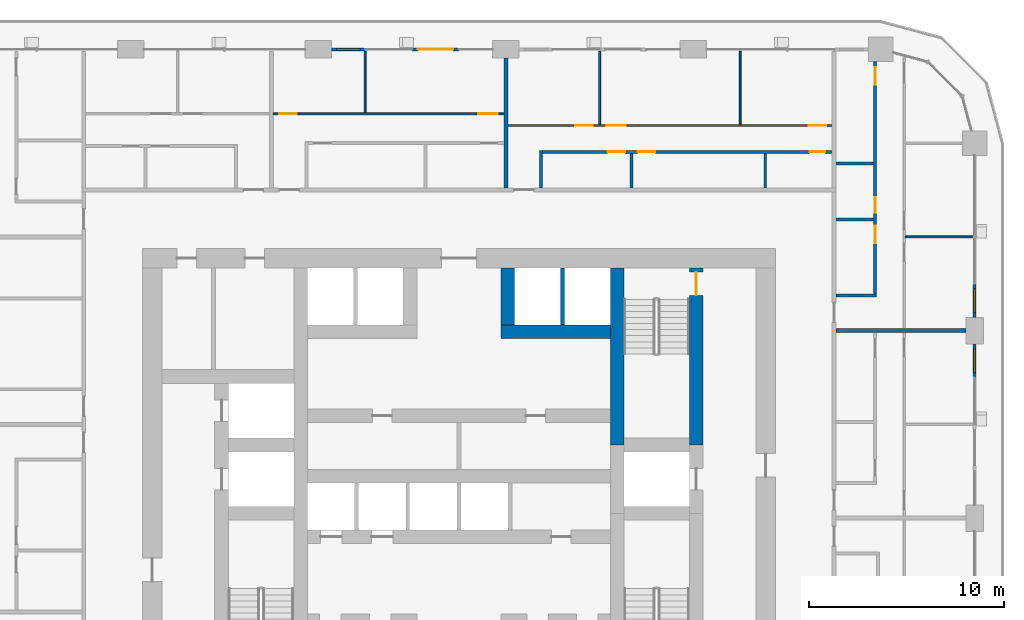
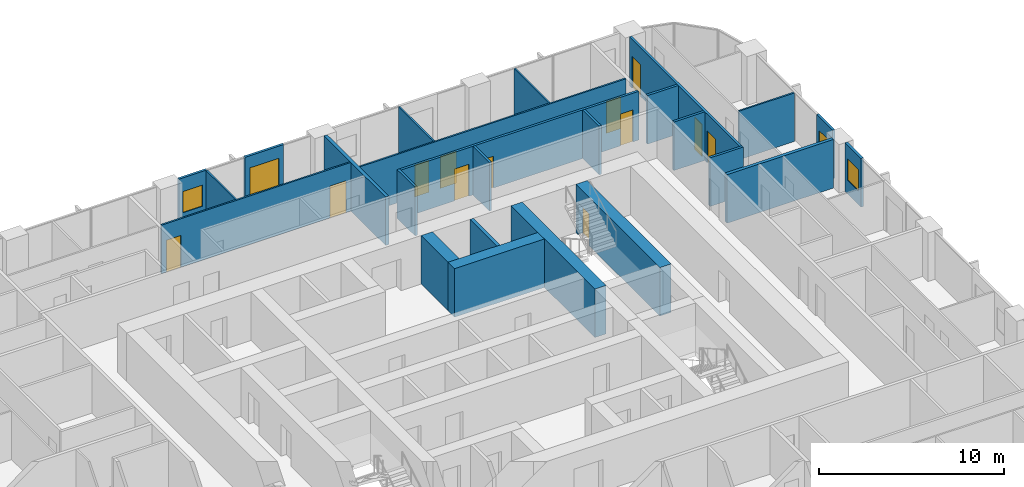
# One storey, part 14 of 21: 25 walls, 13 doors, 3 windows, 16 openings.
"""IFC4 building model written with IfcOpenShell, lengths in metres."""

from ifc_helpers import new_model, si_unit, direction, frame, frame_2d, origin, place, context, subcontext, project, spatial, rectangle, extrude, material, layer, layer_set, type_object, element, fill, save


model = new_model("IFC4")

# Units and contexts
model_context = context("Model", 3, precision=1e-05, world=origin(), true_north=direction((0.0, 1.0)))
body_context = subcontext(model_context, "Body", "Model", "MODEL_VIEW")
ifc_project = project(units=[si_unit("LENGTHUNIT", "METRE"), si_unit("AREAUNIT", "SQUARE_METRE"), si_unit("VOLUMEUNIT", "CUBIC_METRE"), si_unit("PLANEANGLEUNIT", "RADIAN"), si_unit("MASSUNIT", "GRAM", prefix="KILO")], contexts=[model_context])

# Site, building, storey
site_placement = place(None, origin())
site = spatial("IfcSite", under=ifc_project, at=site_placement, CompositionType="ELEMENT")
building_placement = place(site_placement, origin())
building = spatial("IfcBuilding", under=site, at=building_placement, Name="Madar Terraces", CompositionType="ELEMENT")
storey_placement = place(building_placement, frame((0.0, 0.0, 39.89990234375)))
storey = spatial("IfcBuildingStorey", under=building, at=storey_placement, Name="L09", CompositionType="ELEMENT", Elevation=39.89990234375)

# Wall
ifc_material_1 = material(Name="Concrete C80/95", Category="concrete")
ifc_layer_1 = layer(ifc_material_1, 0.699951171875)
ifc_layer_set_1 = layer_set([ifc_layer_1], Name="Concrete C80/95 (CIW1 RC wall 700)")
wall_type_1 = type_object("IfcWallType", Name="CIW1 RC wall 700", PredefinedType="SHEAR", material=ifc_layer_set_1)
wall_1_placement = place(storey_placement, frame((39.300048828125, 27.75, 0.0), z_axis=(0.0, 0.0, 1.0), x_axis=(0.0, 1.0, 0.0)))
element("IfcWall", 1, at=wall_1_placement, inside=storey, type_object=wall_type_1, Name="CORE SHAFT WALL", PredefinedType="SHEAR", context=body_context, shape_type="SweptSolid", body=[
    extrude(rectangle(XDim=9.050048828125, YDim=0.699951171875, at=frame_2d((4.52490234375, 0.0))), origin(), (0.0, 0.0, 1.0), 3.2001953125),
])

# Wall, opening, door
wall_2_placement = place(storey_placement, frame((43.35009765625, 27.75, 0.0), z_axis=(0.0, 0.0, 1.0), x_axis=(0.0, 1.0, 0.0)))
wall_2 = element("IfcWall", 2, at=wall_2_placement, inside=storey, type_object=wall_type_1, Name="CORE SHAFT WALL", PredefinedType="SHEAR", context=body_context, shape_type="SweptSolid", body=[
    extrude(rectangle(XDim=9.050048828125, YDim=0.699951171875, at=frame_2d((4.52490234375, 0.0))), origin(), (0.0, 0.0, 1.0), 3.2001953125),
])
opening_1_placement = place(wall_2_placement, frame((7.64990234375, 0.0, 0.0)))
opening_1 = element("IfcOpeningElement", 3, at=opening_1_placement, cuts=wall_2, Name="Opening SD1", PredefinedType="OPENING", context=body_context, shape_type="SweptSolid", body=[
    extrude(rectangle(XDim=1.199951171875, YDim=2.10009765625, at=frame_2d((0.60009765625, 1.050048828125))), frame((0.0, 0.35986328125, 0.0), z_axis=(0.0, -1.0, 0.0), x_axis=(1.0, 0.0, 0.0)), (0.0, 0.0, 1.0), 0.719970703125),
])
ifc_material_2 = material(Name="Steel door leaf", Category="steel")
door_type_1 = type_object("IfcDoorType", Name="Stair door 1200 x 2100", OperationType="NOTDEFINED", PredefinedType="DOOR", material=ifc_material_2)
door_1_placement = place(opening_1_placement, origin())
door_1 = element("IfcDoor", 4, at=door_1_placement, inside=storey, type_object=door_type_1, Name="STAIR DOOR", OperationType="SINGLE_SWING_LEFT", OverallHeight=2.10009765625, OverallWidth=1.199951171875, PredefinedType="DOOR", context=body_context, shape_type="SweptSolid", body=[
    extrude(rectangle(XDim=1.199951171875, YDim=2.10009765625, at=frame_2d((0.60009765625, 1.050048828125))), frame((0.0, 0.02490234375, 0.0), z_axis=(0.0, -1.0, 0.0), x_axis=(1.0, 0.0, 0.0)), (0.0, 0.0, 1.0), 0.050048828125),
])
fill(opening_1, door_1)

# Walls
wall_3_placement = place(storey_placement, frame((33.35009765625, 33.550048828125, 0.0), z_axis=(0.0, 0.0, 1.0), x_axis=(1.0, 0.0, 0.0)))
element("IfcWall", 5, at=wall_3_placement, inside=storey, type_object=wall_type_1, Name="CORE SHAFT WALL", PredefinedType="SHEAR", context=body_context, shape_type="SweptSolid", body=[
    extrude(rectangle(XDim=5.599853515625, YDim=0.699951171875, at=frame_2d((2.7998046875, 0.0))), origin(), (0.0, 0.0, 1.0), 3.2001953125),
])
wall_4_placement = place(storey_placement, frame((33.699951171875, 33.89990234375, 0.0), z_axis=(0.0, 0.0, 1.0), x_axis=(0.0, 1.0, 0.0)))
element("IfcWall", 6, at=wall_4_placement, inside=storey, type_object=wall_type_1, Name="CORE SHAFT WALL", PredefinedType="SHEAR", context=body_context, shape_type="SweptSolid", body=[
    extrude(rectangle(XDim=2.900146484375, YDim=0.699951171875, at=frame_2d((1.4501953125, 0.0))), origin(), (0.0, 0.0, 1.0), 3.2001953125),
])
ifc_material_3 = material(Name="Concrete C40/50", Category="concrete")
ifc_layer_2 = layer(ifc_material_3, 0.199951171875)
ifc_layer_set_2 = layer_set([ifc_layer_2], Name="Core shaft dividing wall 200 C40/50")
wall_type_2 = type_object("IfcWallType", Name="Core shaft dividing wall 200 C40/50", PredefinedType="SOLIDWALL", material=ifc_layer_set_2)
wall_5_placement = place(storey_placement, frame((36.5, 33.89990234375, 0.0), z_axis=(0.0, 0.0, 1.0), x_axis=(0.0, 1.0, 0.0)))
element("IfcWall", 7, at=wall_5_placement, inside=storey, type_object=wall_type_2, Name="SHAFT DIVIDING WALL", PredefinedType="SOLIDWALL", context=body_context, shape_type="SweptSolid", body=[
    extrude(rectangle(XDim=2.900146484375, YDim=0.199951171875, at=frame_2d((1.4501953125, 0.0))), origin(), (0.0, 0.0, 1.0), 3.2001953125),
])

# Wall, opening, window
ifc_material_4 = material(Name="Aluminium composite panel, black, over insulated backing", Category="aluminium")
ifc_layer_3 = layer(ifc_material_4, 0.14990234375)
ifc_layer_set_3 = layer_set([ifc_layer_3], Name="Facade bay panel 150")
wall_type_3 = type_object("IfcWallType", Name="Facade bay panel 150", PredefinedType="SOLIDWALL", material=ifc_layer_set_3)
wall_6_placement = place(storey_placement, frame((57.60009765625, 31.199951171875, 0.0), z_axis=(0.0, 0.0, 1.0), x_axis=(0.0, 1.0, 0.0)))
wall_6 = element("IfcWall", 8, at=wall_6_placement, inside=storey, type_object=wall_type_3, Name="Facade bay panel", PredefinedType="SOLIDWALL", context=body_context, shape_type="SweptSolid", body=[
    extrude(rectangle(XDim=1.72509765625, YDim=0.14990234375, at=frame_2d((0.862548828125, 0.0))), origin(), (0.0, 0.0, 1.0), 3.2001953125),
])
opening_2_placement = place(wall_6_placement, frame((0.262451171875, 0.0, 0.89990234375)))
opening_2 = element("IfcOpeningElement", 9, at=opening_2_placement, cuts=wall_6, Name="Opening W1", PredefinedType="OPENING", context=body_context, shape_type="SweptSolid", body=[
    extrude(rectangle(XDim=1.199951171875, YDim=1.39990234375, at=frame_2d((0.60009765625, 0.699951171875))), frame((0.0, 0.0849609375, 0.0), z_axis=(0.0, -1.0, 0.0), x_axis=(1.0, 0.0, 0.0)), (0.0, 0.0, 1.0), 0.169921875),
])
ifc_material_5 = material(Name="Glass, clear, with black aluminium frame", Category="aluminium")
window_type = type_object("IfcWindowType", Name="Vent window 1200 x 1400", PartitioningType="SINGLE_PANEL", PredefinedType="WINDOW", material=ifc_material_5)
window_1_placement = place(opening_2_placement, origin())
window_1 = element("IfcWindow", 10, at=window_1_placement, inside=storey, type_object=window_type, Name="Operable vent window", OverallHeight=1.39990234375, OverallWidth=1.199951171875, PartitioningType="SINGLE_PANEL", PredefinedType="WINDOW", context=body_context, shape_type="SweptSolid", body=[
    extrude(rectangle(XDim=1.199951171875, YDim=1.39990234375, at=frame_2d((0.60009765625, 0.699951171875))), frame((0.0, 0.030029296875, 0.0), z_axis=(0.0, -1.0, 0.0), x_axis=(1.0, 0.0, 0.0)), (0.0, 0.0, 1.0), 0.06005859375),
])
fill(opening_2, window_1)

wall_7_placement = place(storey_placement, frame((57.60009765625, 34.27490234375, 0.0), z_axis=(0.0, 0.0, 1.0), x_axis=(0.0, 1.0, 0.0)))
wall_7 = element("IfcWall", 11, at=wall_7_placement, inside=storey, type_object=wall_type_3, Name="Facade bay panel", PredefinedType="SOLIDWALL", context=body_context, shape_type="SweptSolid", body=[
    extrude(rectangle(XDim=1.72509765625, YDim=0.14990234375, at=frame_2d((0.862548828125, 0.0))), origin(), (0.0, 0.0, 1.0), 3.2001953125),
])
opening_3_placement = place(wall_7_placement, frame((0.262451171875, 0.0, 0.89990234375)))
opening_3 = element("IfcOpeningElement", 12, at=opening_3_placement, cuts=wall_7, Name="Opening W1", PredefinedType="OPENING", context=body_context, shape_type="SweptSolid", body=[
    extrude(rectangle(XDim=1.199951171875, YDim=1.39990234375, at=frame_2d((0.60009765625, 0.699951171875))), frame((0.0, 0.0849609375, 0.0), z_axis=(0.0, -1.0, 0.0), x_axis=(1.0, 0.0, 0.0)), (0.0, 0.0, 1.0), 0.169921875),
])
window_2_placement = place(opening_3_placement, origin())
window_2 = element("IfcWindow", 13, at=window_2_placement, inside=storey, type_object=window_type, Name="Operable vent window", OverallHeight=1.39990234375, OverallWidth=1.199951171875, PartitioningType="SINGLE_PANEL", PredefinedType="WINDOW", context=body_context, shape_type="SweptSolid", body=[
    extrude(rectangle(XDim=1.199951171875, YDim=1.39990234375, at=frame_2d((0.60009765625, 0.699951171875))), frame((0.0, 0.030029296875, 0.0), z_axis=(0.0, -1.0, 0.0), x_axis=(1.0, 0.0, 0.0)), (0.0, 0.0, 1.0), 0.06005859375),
])
fill(opening_3, window_2)

# Wall, opening, door
wall_8_placement = place(storey_placement, frame((31.199951171875, 48.0, 0.0), z_axis=(0.0, 0.0, 1.0), x_axis=(-1.0, 0.0, 0.0)))
wall_8 = element("IfcWall", 14, at=wall_8_placement, inside=storey, type_object=wall_type_3, Name="Facade bay panel", PredefinedType="SOLIDWALL", context=body_context, shape_type="SweptSolid", body=[
    extrude(rectangle(XDim=2.39990234375, YDim=0.14990234375, at=frame_2d((1.199951171875, 0.0))), origin(), (0.0, 0.0, 1.0), 3.2001953125),
])
opening_4_placement = place(wall_8_placement, frame((0.300048828125, 0.0, 0.0)))
opening_4 = element("IfcOpeningElement", 15, at=opening_4_placement, cuts=wall_8, Name="Opening ED1", PredefinedType="OPENING", context=body_context, shape_type="SweptSolid", body=[
    extrude(rectangle(XDim=1.800048828125, YDim=2.39990234375, at=frame_2d((0.89990234375, 1.199951171875))), frame((0.0, 0.0849609375, 0.0), z_axis=(0.0, -1.0, 0.0), x_axis=(1.0, 0.0, 0.0)), (0.0, 0.0, 1.0), 0.169921875),
])
ifc_material_6 = material(Name="Glass, clear, with black aluminium frame", Category="aluminium")
door_type_2 = type_object("IfcDoorType", Name="Balcony and terrace sliding door 1800 x 2400", OperationType="SLIDING_TO_LEFT", PredefinedType="DOOR", material=ifc_material_6)
door_2_placement = place(opening_4_placement, origin())
door_2 = element("IfcDoor", 16, at=door_2_placement, inside=storey, type_object=door_type_2, Name="Balcony door", OperationType="SLIDING_TO_LEFT", OverallHeight=2.39990234375, OverallWidth=1.800048828125, PredefinedType="DOOR", context=body_context, shape_type="SweptSolid", body=[
    extrude(rectangle(XDim=1.800048828125, YDim=2.39990234375, at=frame_2d((0.89990234375, 1.199951171875))), frame((0.0, 0.02490234375, 0.0), z_axis=(0.0, -1.0, 0.0), x_axis=(1.0, 0.0, 0.0)), (0.0, 0.0, 1.0), 0.050048828125),
])
fill(opening_4, door_2)

# Wall, opening, window
wall_9_placement = place(storey_placement, frame((26.39990234375, 48.0, 0.0), z_axis=(0.0, 0.0, 1.0), x_axis=(-1.0, 0.0, 0.0)))
wall_9 = element("IfcWall", 17, at=wall_9_placement, inside=storey, type_object=wall_type_3, Name="Facade bay panel", PredefinedType="SOLIDWALL", context=body_context, shape_type="SweptSolid", body=[
    extrude(rectangle(XDim=1.724853515625, YDim=0.14990234375, at=frame_2d((0.8623046875, 0.0))), origin(), (0.0, 0.0, 1.0), 3.2001953125),
])
opening_5_placement = place(wall_9_placement, frame((0.262451171875, 0.0, 0.89990234375)))
opening_5 = element("IfcOpeningElement", 18, at=opening_5_placement, cuts=wall_9, Name="Opening W1", PredefinedType="OPENING", context=body_context, shape_type="SweptSolid", body=[
    extrude(rectangle(XDim=1.199951171875, YDim=1.39990234375, at=frame_2d((0.60009765625, 0.699951171875))), frame((0.0, 0.0849609375, 0.0), z_axis=(0.0, -1.0, 0.0), x_axis=(1.0, 0.0, 0.0)), (0.0, 0.0, 1.0), 0.169921875),
])
window_3_placement = place(opening_5_placement, origin())
window_3 = element("IfcWindow", 19, at=window_3_placement, inside=storey, type_object=window_type, Name="Operable vent window", OverallHeight=1.39990234375, OverallWidth=1.199951171875, PartitioningType="SINGLE_PANEL", PredefinedType="WINDOW", context=body_context, shape_type="SweptSolid", body=[
    extrude(rectangle(XDim=1.199951171875, YDim=1.39990234375, at=frame_2d((0.60009765625, 0.699951171875))), frame((0.0, 0.030029296875, 0.0), z_axis=(0.0, -1.0, 0.0), x_axis=(1.0, 0.0, 0.0)), (0.0, 0.0, 1.0), 0.06005859375),
])
fill(opening_5, window_3)

# Walls
ifc_material_7 = material(Name="Gypsum board on steel studs", Category="steel")
ifc_layer_4 = layer(ifc_material_7, 0.10009765625)
ifc_layer_set_4 = layer_set([ifc_layer_4], Name="Flat partition 100")
wall_type_4 = type_object("IfcWallType", Name="Flat partition 100", PredefinedType="PARTITIONING", material=ifc_layer_set_4)
wall_10_placement = place(storey_placement, frame((54.050048828125, 38.39990234375, 0.0), z_axis=(0.0, 0.0, 1.0), x_axis=(1.0, 0.0, 0.0)))
element("IfcWall", 20, at=wall_10_placement, inside=storey, type_object=wall_type_4, Name="Flat partition 100", PredefinedType="PARTITIONING", context=body_context, shape_type="SweptSolid", body=[
    extrude(rectangle(XDim=3.449951171875, YDim=0.10009765625, at=frame_2d((1.72509765625, 0.0))), origin(), (0.0, 0.0, 1.0), 3.2001953125),
])
for number, where, z_axis, x_axis, name in (
    (21, (38.39990234375, 44.14990234375, 0.0), (0.0, 0.0, 1.0), (0.0, 1.0, 0.0), "Flat partition 100"),
    (22, (45.60009765625, 44.14990234375, 0.0), (0.0, 0.0, 1.0), (0.0, 1.0, 0.0), "Flat partition 100"),
):
    element("IfcWall", number, at=place(storey_placement, frame(where, z_axis=z_axis, x_axis=x_axis)), inside=storey, type_object=wall_type_4, Name=name, PredefinedType="PARTITIONING", context=body_context, shape_type="SweptSolid", body=[
        extrude(rectangle(XDim=3.75, YDim=0.10009765625, at=frame_2d((1.875, 0.0))), origin(), (0.0, 0.0, 1.0), 3.2001953125),
    ])

# Wall, openings, doors
wall_11_placement = place(storey_placement, frame((33.699951171875, 44.10009765625, 0.0), z_axis=(0.0, 0.0, 1.0), x_axis=(1.0, 0.0, 0.0)))
wall_11 = element("IfcWall", 23, at=wall_11_placement, inside=storey, type_object=wall_type_4, Name="Flat partition 100", PredefinedType="PARTITIONING", context=body_context, shape_type="SweptSolid", body=[
    extrude(rectangle(XDim=16.60009765625, YDim=0.10009765625, at=frame_2d((8.300048828125, 0.0))), origin(), (0.0, 0.0, 1.0), 3.2001953125),
])
opening_6_placement = place(wall_11_placement, frame((3.449951171875, 0.0, 0.0)))
opening_6 = element("IfcOpeningElement", 24, at=opening_6_placement, cuts=wall_11, Name="Opening D2", PredefinedType="OPENING", context=body_context, shape_type="SweptSolid", body=[
    extrude(rectangle(XDim=0.89990234375, YDim=2.10009765625, at=frame_2d((0.449951171875, 1.050048828125))), frame((0.0, 0.06005859375, 0.0), z_axis=(0.0, -1.0, 0.0), x_axis=(1.0, 0.0, 0.0)), (0.0, 0.0, 1.0), 0.1201171875),
])
opening_7_placement = place(wall_11_placement, frame((5.050048828125, 0.0, 0.0)))
opening_7 = element("IfcOpeningElement", 25, at=opening_7_placement, cuts=wall_11, Name="Opening D3", PredefinedType="OPENING", context=body_context, shape_type="SweptSolid", body=[
    extrude(rectangle(XDim=1.0, YDim=2.10009765625, at=frame_2d((0.5, 1.050048828125))), frame((0.0, 0.06005859375, 0.0), z_axis=(0.0, -1.0, 0.0), x_axis=(1.0, 0.0, 0.0)), (0.0, 0.0, 1.0), 0.1201171875),
])
opening_8_placement = place(wall_11_placement, frame((15.39990234375, 0.0, 0.0)))
opening_8 = element("IfcOpeningElement", 26, at=opening_8_placement, cuts=wall_11, Name="Opening D2", PredefinedType="OPENING", context=body_context, shape_type="SweptSolid", body=[
    extrude(rectangle(XDim=0.89990234375, YDim=2.10009765625, at=frame_2d((0.449951171875, 1.050048828125))), frame((0.0, 0.06005859375, 0.0), z_axis=(0.0, -1.0, 0.0), x_axis=(1.0, 0.0, 0.0)), (0.0, 0.0, 1.0), 0.1201171875),
])
ifc_material_8 = material(Name="Timber door leaf", Category="wood")
door_type_3 = type_object("IfcDoorType", Name="Flat living room door 1000", OperationType="NOTDEFINED", PredefinedType="DOOR", material=ifc_material_8)
door_3_placement = place(opening_7_placement, origin())
door_3 = element("IfcDoor", 27, at=door_3_placement, inside=storey, type_object=door_type_3, Name="Flat living room door 1000", OperationType="SINGLE_SWING_LEFT", OverallHeight=2.10009765625, OverallWidth=1.0, PredefinedType="DOOR", context=body_context, shape_type="SweptSolid", body=[
    extrude(rectangle(XDim=1.0, YDim=2.10009765625, at=frame_2d((0.5, 1.050048828125))), frame((0.0, 0.02490234375, 0.0), z_axis=(0.0, -1.0, 0.0), x_axis=(1.0, 0.0, 0.0)), (0.0, 0.0, 1.0), 0.050048828125),
])
fill(opening_7, door_3)
ifc_material_9 = material(Name="Timber door leaf", Category="wood")
door_type_4 = type_object("IfcDoorType", Name="Flat room door 900", OperationType="NOTDEFINED", PredefinedType="DOOR", material=ifc_material_9)
door_4_placement = place(opening_6_placement, origin())
door_4 = element("IfcDoor", 28, at=door_4_placement, inside=storey, type_object=door_type_4, Name="Flat room door 900", OperationType="SINGLE_SWING_RIGHT", OverallHeight=2.10009765625, OverallWidth=0.89990234375, PredefinedType="DOOR", context=body_context, shape_type="SweptSolid", body=[
    extrude(rectangle(XDim=0.89990234375, YDim=2.10009765625, at=frame_2d((0.449951171875, 1.050048828125))), frame((0.0, 0.02490234375, 0.0), z_axis=(0.0, -1.0, 0.0), x_axis=(1.0, 0.0, 0.0)), (0.0, 0.0, 1.0), 0.050048828125),
])
fill(opening_6, door_4)
door_5_placement = place(opening_8_placement, origin())
door_5 = element("IfcDoor", 29, at=door_5_placement, inside=storey, type_object=door_type_4, Name="Flat room door 900", OperationType="SINGLE_SWING_RIGHT", OverallHeight=2.10009765625, OverallWidth=0.89990234375, PredefinedType="DOOR", context=body_context, shape_type="SweptSolid", body=[
    extrude(rectangle(XDim=0.89990234375, YDim=2.10009765625, at=frame_2d((0.449951171875, 1.050048828125))), frame((0.0, 0.02490234375, 0.0), z_axis=(0.0, -1.0, 0.0), x_axis=(1.0, 0.0, 0.0)), (0.0, 0.0, 1.0), 0.050048828125),
])
fill(opening_8, door_5)

# Wall
wall_12_placement = place(storey_placement, frame((26.39990234375, 44.75, 0.0), z_axis=(0.0, 0.0, 1.0), x_axis=(0.0, 1.0, 0.0)))
element("IfcWall", 30, at=wall_12_placement, inside=storey, type_object=wall_type_4, Name="Flat partition 100", PredefinedType="PARTITIONING", context=body_context, shape_type="SweptSolid", body=[
    extrude(rectangle(XDim=3.14990234375, YDim=0.10009765625, at=frame_2d((1.574951171875, 0.0))), origin(), (0.0, 0.0, 1.0), 3.2001953125),
])

# Wall, openings, doors
wall_13_placement = place(storey_placement, frame((21.699951171875, 44.699951171875, 0.0), z_axis=(0.0, 0.0, 1.0), x_axis=(1.0, 0.0, 0.0)))
wall_13 = element("IfcWall", 31, at=wall_13_placement, inside=storey, type_object=wall_type_4, Name="Flat partition 100", PredefinedType="PARTITIONING", context=body_context, shape_type="SweptSolid", body=[
    extrude(rectangle(XDim=11.800048828125, YDim=0.10009765625, at=frame_2d((5.89990234375, 0.0))), origin(), (0.0, 0.0, 1.0), 3.2001953125),
])
opening_9_placement = place(wall_13_placement, frame((0.300048828125, 0.0, 0.0)))
opening_9 = element("IfcOpeningElement", 32, at=opening_9_placement, cuts=wall_13, Name="Opening D2", PredefinedType="OPENING", context=body_context, shape_type="SweptSolid", body=[
    extrude(rectangle(XDim=0.89990234375, YDim=2.10009765625, at=frame_2d((0.449951171875, 1.050048828125))), frame((0.0, 0.06005859375, 0.0), z_axis=(0.0, -1.0, 0.0), x_axis=(1.0, 0.0, 0.0)), (0.0, 0.0, 1.0), 0.1201171875),
])
opening_10_placement = place(wall_13_placement, frame((10.5, 0.0, 0.0)))
opening_10 = element("IfcOpeningElement", 33, at=opening_10_placement, cuts=wall_13, Name="Opening D3", PredefinedType="OPENING", context=body_context, shape_type="SweptSolid", body=[
    extrude(rectangle(XDim=1.0, YDim=2.10009765625, at=frame_2d((0.5, 1.050048828125))), frame((0.0, 0.06005859375, 0.0), z_axis=(0.0, -1.0, 0.0), x_axis=(1.0, 0.0, 0.0)), (0.0, 0.0, 1.0), 0.1201171875),
])
door_6_placement = place(opening_10_placement, origin())
door_6 = element("IfcDoor", 34, at=door_6_placement, inside=storey, type_object=door_type_3, Name="Flat living room door 1000", OperationType="SINGLE_SWING_RIGHT", OverallHeight=2.10009765625, OverallWidth=1.0, PredefinedType="DOOR", context=body_context, shape_type="SweptSolid", body=[
    extrude(rectangle(XDim=1.0, YDim=2.10009765625, at=frame_2d((0.5, 1.050048828125))), frame((0.0, 0.02490234375, 0.0), z_axis=(0.0, -1.0, 0.0), x_axis=(1.0, 0.0, 0.0)), (0.0, 0.0, 1.0), 0.050048828125),
])
fill(opening_10, door_6)
door_7_placement = place(opening_9_placement, origin())
door_7 = element("IfcDoor", 35, at=door_7_placement, inside=storey, type_object=door_type_4, Name="Flat room door 900", OperationType="SINGLE_SWING_LEFT", OverallHeight=2.10009765625, OverallWidth=0.89990234375, PredefinedType="DOOR", context=body_context, shape_type="SweptSolid", body=[
    extrude(rectangle(XDim=0.89990234375, YDim=2.10009765625, at=frame_2d((0.449951171875, 1.050048828125))), frame((0.0, 0.02490234375, 0.0), z_axis=(0.0, -1.0, 0.0), x_axis=(1.0, 0.0, 0.0)), (0.0, 0.0, 1.0), 0.050048828125),
])
fill(opening_9, door_7)

# Walls
ifc_material_10 = material(Name="Lightweight blockwork", Category="masonry")
ifc_layer_5 = layer(ifc_material_10, 0.199951171875)
ifc_layer_set_5 = layer_set([ifc_layer_5], Name="Flat party and entrance wall 200")
wall_type_5 = type_object("IfcWallType", Name="Flat party and entrance wall 200", PredefinedType="PARTITIONING", material=ifc_layer_set_5)
wall_14_placement = place(storey_placement, frame((50.5, 33.60009765625, 0.0), z_axis=(0.0, 0.0, 1.0), x_axis=(1.0, 0.0, 0.0)))
element("IfcWall", 36, at=wall_14_placement, inside=storey, type_object=wall_type_5, Name="Flat party and entrance wall 200", PredefinedType="PARTITIONING", context=body_context, shape_type="SweptSolid", body=[
    extrude(rectangle(XDim=6.64990234375, YDim=0.199951171875, at=frame_2d((3.324951171875, 0.0))), origin(), (0.0, 0.0, 1.0), 3.2001953125),
])
wall_15_placement = place(storey_placement, frame((33.60009765625, 47.550048828125, 0.0), z_axis=(0.0, 0.0, 1.0), x_axis=(0.0, -1.0, 0.0)))
element("IfcWall", 37, at=wall_15_placement, inside=storey, type_object=wall_type_5, Name="Flat party and entrance wall 200", PredefinedType="PARTITIONING", context=body_context, shape_type="SweptSolid", body=[
    extrude(rectangle(XDim=6.650146484375, YDim=0.199951171875, at=frame_2d((3.3251953125, 0.0))), origin(), (0.0, 0.0, 1.0), 3.2001953125),
])
ifc_material_11 = material(Name="Lightweight blockwork", Category="masonry")
ifc_layer_6 = layer(ifc_material_11, 0.14990234375)
ifc_layer_set_6 = layer_set([ifc_layer_6], Name="Flat wet-room partition 150")
wall_type_6 = type_object("IfcWallType", Name="Flat wet-room partition 150", PredefinedType="PARTITIONING", material=ifc_layer_set_6)
for number, where, z_axis, x_axis, name in (
    (38, (50.5, 39.298095703125, 0.0), (0.0, 0.0, 1.0), (1.0, 0.0, 0.0), "Flat wet-room partition 150"),
    (39, (50.5, 42.165283203125, 0.0), (0.0, 0.0, 1.0), (1.0, 0.0, 0.0), "Flat wet-room partition 150"),
):
    element("IfcWall", number, at=place(storey_placement, frame(where, z_axis=z_axis, x_axis=x_axis)), inside=storey, type_object=wall_type_6, Name=name, PredefinedType="PARTITIONING", context=body_context, shape_type="SweptSolid", body=[
        extrude(rectangle(XDim=1.925048828125, YDim=0.14990234375, at=frame_2d((0.96240234375, 0.0))), origin(), (0.0, 0.0, 1.0), 3.2001953125),
    ])
wall_16_placement = place(storey_placement, frame((50.5, 35.39990234375, 0.0), z_axis=(0.0, 0.0, 1.0), x_axis=(1.0, 0.0, 0.0)))
element("IfcWall", 40, at=wall_16_placement, inside=storey, type_object=wall_type_6, Name="Flat wet-room partition 150", PredefinedType="PARTITIONING", context=body_context, shape_type="SweptSolid", body=[
    extrude(rectangle(XDim=2.074951171875, YDim=0.14990234375, at=frame_2d((1.03759765625, 0.0))), origin(), (0.0, 0.0, 1.0), 3.2001953125),
])

# Wall, openings, doors
wall_17_placement = place(storey_placement, frame((52.5, 35.47509765625, 0.0), z_axis=(0.0, 0.0, 1.0), x_axis=(0.0, 1.0, 0.0)))
wall_17 = element("IfcWall", 41, at=wall_17_placement, inside=storey, type_object=wall_type_6, Name="Flat wet-room partition 150", PredefinedType="PARTITIONING", context=body_context, shape_type="SweptSolid", body=[
    extrude(rectangle(XDim=11.89990234375, YDim=0.14990234375, at=frame_2d((5.949951171875, 0.0))), origin(), (0.0, 0.0, 1.0), 3.2001953125),
])
opening_11_placement = place(wall_17_placement, frame((2.59814453125, 0.0, 0.0)))
opening_11 = element("IfcOpeningElement", 42, at=opening_11_placement, cuts=wall_17, Name="Opening D5", PredefinedType="OPENING", context=body_context, shape_type="SweptSolid", body=[
    extrude(rectangle(XDim=0.89990234375, YDim=2.10009765625, at=frame_2d((0.449951171875, 1.050048828125))), frame((0.0, 0.0849609375, 0.0), z_axis=(0.0, -1.0, 0.0), x_axis=(1.0, 0.0, 0.0)), (0.0, 0.0, 1.0), 0.169921875),
])
opening_12_placement = place(wall_17_placement, frame((4.148193359375, 0.0, 0.0)))
opening_12 = element("IfcOpeningElement", 43, at=opening_12_placement, cuts=wall_17, Name="Opening D4", PredefinedType="OPENING", context=body_context, shape_type="SweptSolid", body=[
    extrude(rectangle(XDim=0.800048828125, YDim=2.10009765625, at=frame_2d((0.39990234375, 1.050048828125))), frame((0.0, 0.0849609375, 0.0), z_axis=(0.0, -1.0, 0.0), x_axis=(1.0, 0.0, 0.0)), (0.0, 0.0, 1.0), 0.169921875),
])
opening_13_placement = place(wall_17_placement, frame((10.699951171875, 0.0, 0.0)))
opening_13 = element("IfcOpeningElement", 44, at=opening_13_placement, cuts=wall_17, Name="Opening D2", PredefinedType="OPENING", context=body_context, shape_type="SweptSolid", body=[
    extrude(rectangle(XDim=0.89990234375, YDim=2.10009765625, at=frame_2d((0.449951171875, 1.050048828125))), frame((0.0, 0.0849609375, 0.0), z_axis=(0.0, -1.0, 0.0), x_axis=(1.0, 0.0, 0.0)), (0.0, 0.0, 1.0), 0.169921875),
])
ifc_material_12 = material(Name="Timber door leaf", Category="wood")
door_type_5 = type_object("IfcDoorType", Name="Flat accessible bathroom door 900", OperationType="NOTDEFINED", PredefinedType="DOOR", material=ifc_material_12)
door_8_placement = place(opening_11_placement, origin())
door_8 = element("IfcDoor", 45, at=door_8_placement, inside=storey, type_object=door_type_5, Name="Flat accessible bathroom door 900", OperationType="SINGLE_SWING_RIGHT", OverallHeight=2.10009765625, OverallWidth=0.89990234375, PredefinedType="DOOR", context=body_context, shape_type="SweptSolid", body=[
    extrude(rectangle(XDim=0.89990234375, YDim=2.10009765625, at=frame_2d((0.449951171875, 1.050048828125))), frame((0.0, 0.02490234375, 0.0), z_axis=(0.0, -1.0, 0.0), x_axis=(1.0, 0.0, 0.0)), (0.0, 0.0, 1.0), 0.050048828125),
])
fill(opening_11, door_8)
ifc_material_13 = material(Name="Timber door leaf", Category="wood")
door_type_6 = type_object("IfcDoorType", Name="Flat bathroom door 800", OperationType="NOTDEFINED", PredefinedType="DOOR", material=ifc_material_13)
door_9_placement = place(opening_12_placement, origin())
door_9 = element("IfcDoor", 46, at=door_9_placement, inside=storey, type_object=door_type_6, Name="Flat bathroom door 800", OperationType="SINGLE_SWING_LEFT", OverallHeight=2.10009765625, OverallWidth=0.800048828125, PredefinedType="DOOR", context=body_context, shape_type="SweptSolid", body=[
    extrude(rectangle(XDim=0.800048828125, YDim=2.10009765625, at=frame_2d((0.39990234375, 1.050048828125))), frame((0.0, 0.02490234375, 0.0), z_axis=(0.0, -1.0, 0.0), x_axis=(1.0, 0.0, 0.0)), (0.0, 0.0, 1.0), 0.050048828125),
])
fill(opening_12, door_9)
door_10_placement = place(opening_13_placement, origin())
door_10 = element("IfcDoor", 47, at=door_10_placement, inside=storey, type_object=door_type_4, Name="Flat room door 900", OperationType="SINGLE_SWING_RIGHT", OverallHeight=2.10009765625, OverallWidth=0.89990234375, PredefinedType="DOOR", context=body_context, shape_type="SweptSolid", body=[
    extrude(rectangle(XDim=0.89990234375, YDim=2.10009765625, at=frame_2d((0.449951171875, 1.050048828125))), frame((0.0, 0.02490234375, 0.0), z_axis=(0.0, -1.0, 0.0), x_axis=(1.0, 0.0, 0.0)), (0.0, 0.0, 1.0), 0.050048828125),
])
fill(opening_13, door_10)

# Walls
for number, where, z_axis, x_axis, name in (
    (48, (40.03662109375, 40.89990234375, 0.0), (0.0, 0.0, 1.0), (0.0, 1.0, 0.0), "Flat wet-room partition 150"),
    (49, (46.87890625, 40.89990234375, 0.0), (0.0, 0.0, 1.0), (0.0, 1.0, 0.0), "Flat wet-room partition 150"),
):
    element("IfcWall", number, at=place(storey_placement, frame(where, z_axis=z_axis, x_axis=x_axis)), inside=storey, type_object=wall_type_6, Name=name, PredefinedType="PARTITIONING", context=body_context, shape_type="SweptSolid", body=[
        extrude(rectangle(XDim=1.775146484375, YDim=0.14990234375, at=frame_2d((0.8876953125, 0.0))), origin(), (0.0, 0.0, 1.0), 3.2001953125),
    ])
wall_18_placement = place(storey_placement, frame((35.39990234375, 40.89990234375, 0.0), z_axis=(0.0, 0.0, 1.0), x_axis=(0.0, 1.0, 0.0)))
element("IfcWall", 50, at=wall_18_placement, inside=storey, type_object=wall_type_6, Name="Flat wet-room partition 150", PredefinedType="PARTITIONING", context=body_context, shape_type="SweptSolid", body=[
    extrude(rectangle(XDim=1.925048828125, YDim=0.14990234375, at=frame_2d((0.96240234375, 0.0))), origin(), (0.0, 0.0, 1.0), 3.2001953125),
])

# Wall, openings, doors
wall_19_placement = place(storey_placement, frame((50.300048828125, 42.75, 0.0), z_axis=(0.0, 0.0, 1.0), x_axis=(-1.0, 0.0, 0.0)))
wall_19 = element("IfcWall", 51, at=wall_19_placement, inside=storey, type_object=wall_type_6, Name="Flat wet-room partition 150", PredefinedType="PARTITIONING", context=body_context, shape_type="SweptSolid", body=[
    extrude(rectangle(XDim=14.824951171875, YDim=0.14990234375, at=frame_2d((7.41259765625, 0.0))), origin(), (0.0, 0.0, 1.0), 3.2001953125),
])
opening_14_placement = place(wall_19_placement, frame((10.58837890625, 0.0, 0.0)))
opening_14 = element("IfcOpeningElement", 52, at=opening_14_placement, cuts=wall_19, Name="Opening D5", PredefinedType="OPENING", context=body_context, shape_type="SweptSolid", body=[
    extrude(rectangle(XDim=0.89990234375, YDim=2.10009765625, at=frame_2d((0.449951171875, 1.050048828125))), frame((0.0, 0.0849609375, 0.0), z_axis=(0.0, -1.0, 0.0), x_axis=(1.0, 0.0, 0.0)), (0.0, 0.0, 1.0), 0.169921875),
])
opening_15_placement = place(wall_19_placement, frame((9.03857421875, 0.0, 0.0)))
opening_15 = element("IfcOpeningElement", 53, at=opening_15_placement, cuts=wall_19, Name="Opening D2", PredefinedType="OPENING", context=body_context, shape_type="SweptSolid", body=[
    extrude(rectangle(XDim=0.89990234375, YDim=2.10009765625, at=frame_2d((0.449951171875, 1.050048828125))), frame((0.0, 0.0849609375, 0.0), z_axis=(0.0, -1.0, 0.0), x_axis=(1.0, 0.0, 0.0)), (0.0, 0.0, 1.0), 0.169921875),
])
opening_16_placement = place(wall_19_placement, frame((0.35009765625, 0.0, 0.0)))
opening_16 = element("IfcOpeningElement", 54, at=opening_16_placement, cuts=wall_19, Name="Opening D4", PredefinedType="OPENING", context=body_context, shape_type="SweptSolid", body=[
    extrude(rectangle(XDim=0.800048828125, YDim=2.10009765625, at=frame_2d((0.39990234375, 1.050048828125))), frame((0.0, 0.0849609375, 0.0), z_axis=(0.0, -1.0, 0.0), x_axis=(1.0, 0.0, 0.0)), (0.0, 0.0, 1.0), 0.169921875),
])
door_11_placement = place(opening_14_placement, origin())
door_11 = element("IfcDoor", 55, at=door_11_placement, inside=storey, type_object=door_type_5, Name="Flat accessible bathroom door 900", OperationType="SINGLE_SWING_LEFT", OverallHeight=2.10009765625, OverallWidth=0.89990234375, PredefinedType="DOOR", context=body_context, shape_type="SweptSolid", body=[
    extrude(rectangle(XDim=0.89990234375, YDim=2.10009765625, at=frame_2d((0.449951171875, 1.050048828125))), frame((0.0, 0.02490234375, 0.0), z_axis=(0.0, -1.0, 0.0), x_axis=(1.0, 0.0, 0.0)), (0.0, 0.0, 1.0), 0.050048828125),
])
fill(opening_14, door_11)
door_12_placement = place(opening_16_placement, origin())
door_12 = element("IfcDoor", 56, at=door_12_placement, inside=storey, type_object=door_type_6, Name="Flat bathroom door 800", OperationType="SINGLE_SWING_LEFT", OverallHeight=2.10009765625, OverallWidth=0.800048828125, PredefinedType="DOOR", context=body_context, shape_type="SweptSolid", body=[
    extrude(rectangle(XDim=0.800048828125, YDim=2.10009765625, at=frame_2d((0.39990234375, 1.050048828125))), frame((0.0, 0.02490234375, 0.0), z_axis=(0.0, -1.0, 0.0), x_axis=(1.0, 0.0, 0.0)), (0.0, 0.0, 1.0), 0.050048828125),
])
fill(opening_16, door_12)
door_13_placement = place(opening_15_placement, origin())
door_13 = element("IfcDoor", 57, at=door_13_placement, inside=storey, type_object=door_type_4, Name="Flat room door 900", OperationType="SINGLE_SWING_RIGHT", OverallHeight=2.10009765625, OverallWidth=0.89990234375, PredefinedType="DOOR", context=body_context, shape_type="SweptSolid", body=[
    extrude(rectangle(XDim=0.89990234375, YDim=2.10009765625, at=frame_2d((0.449951171875, 1.050048828125))), frame((0.0, 0.02490234375, 0.0), z_axis=(0.0, -1.0, 0.0), x_axis=(1.0, 0.0, 0.0)), (0.0, 0.0, 1.0), 0.050048828125),
])
fill(opening_15, door_13)

save(model, "model.ifc")
